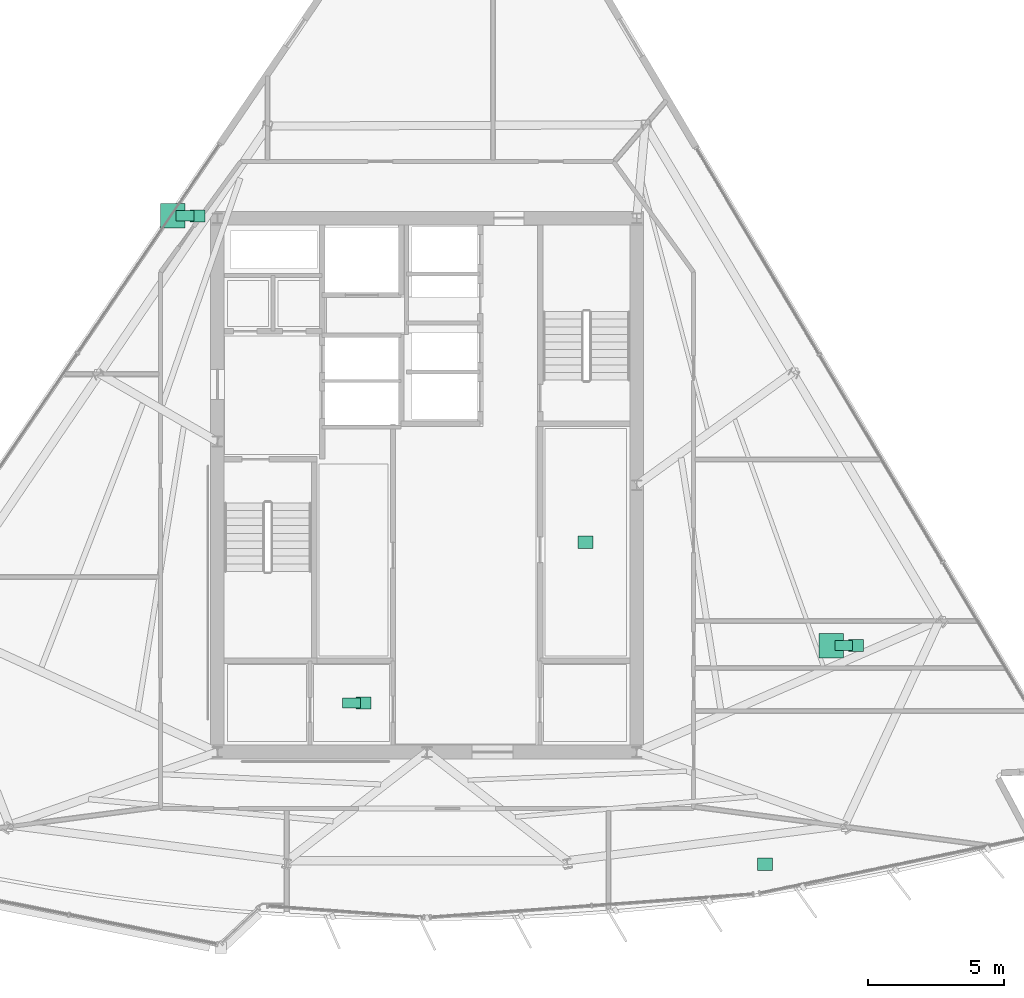
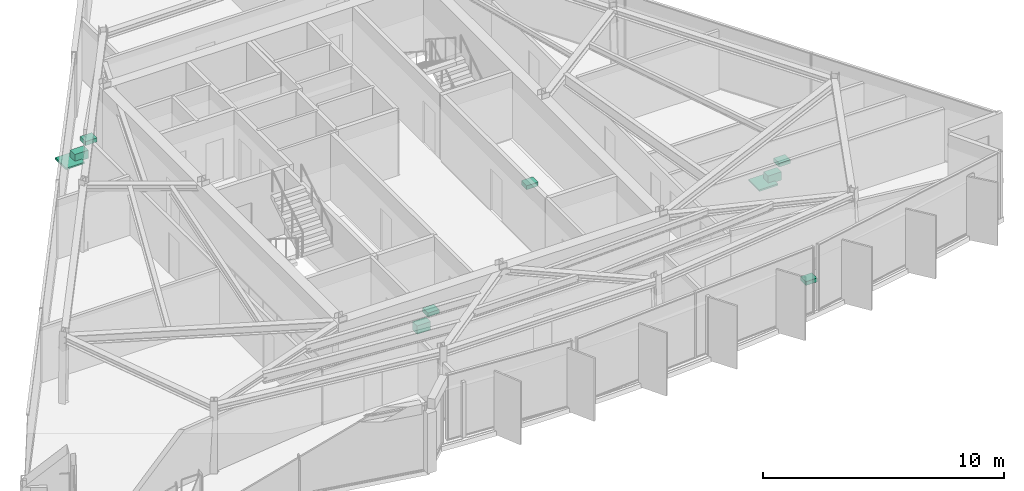
# One storey, part 13 of 13: 10 sanitary terminals.
"""IFC4 building model written with IfcOpenShell, lengths in metres."""

from ifc_helpers import new_model, si_unit, direction, frame, origin, origin_2d, place, context, subcontext, project, spatial, rectangle, extrude, material, type_object, element, save


model = new_model("IFC4")

# Units and contexts
model_context = context("Model", 3, precision=1e-05, world=origin(), true_north=direction((0.0, 1.0)))
body_context = subcontext(model_context, "Body", "Model", "MODEL_VIEW")
ifc_project = project(units=[si_unit("LENGTHUNIT", "METRE"), si_unit("AREAUNIT", "SQUARE_METRE"), si_unit("VOLUMEUNIT", "CUBIC_METRE"), si_unit("PLANEANGLEUNIT", "RADIAN"), si_unit("MASSUNIT", "GRAM", prefix="KILO")], contexts=[model_context])

# Site, building, storey
site_placement = place(None, origin())
site = spatial("IfcSite", under=ifc_project, at=site_placement, CompositionType="ELEMENT")
building_placement = place(site_placement, origin())
building = spatial("IfcBuilding", under=site, at=building_placement, Name="Savorim Split Tower", CompositionType="ELEMENT")
storey_placement = place(building_placement, frame((0.0, 0.0, 276.0)))
storey = spatial("IfcBuildingStorey", under=building, at=storey_placement, Name="L73", CompositionType="ELEMENT", Elevation=276.0)

# Sanitary terminals
ifc_material = material(Name="Vitreous China Sanitaryware")
sanitary_terminal_type_1 = type_object("IfcSanitaryTerminalType", Name="SAN-SHW-900", PredefinedType="SHOWER", material=ifc_material)
for number, where, z_axis, x_axis, name in (
    (1, (14.844970703125, -5.49169921875, 0.0), (0.0, 0.0, 1.0), (1.0, 0.0, 0.0), "L73 Shared Bathroom Shower"),
    (2, (-9.333984375, 10.2822265625, 0.0), (0.0, 0.0, 1.0), (1.0, 0.0, 0.0), "L73 Shared Bathroom Shower"),
):
    element("IfcSanitaryTerminal", number, at=place(storey_placement, frame(where, z_axis=z_axis, x_axis=x_axis)), inside=storey, type_object=sanitary_terminal_type_1, Name=name, PredefinedType="SHOWER", context=body_context, shape_type="SweptSolid", body=[
        extrude(rectangle(XDim=0.89990234375, YDim=0.89990234375, at=origin_2d()), origin(), (0.0, 0.0, 1.0), 0.080078125),
    ])
sanitary_terminal_type_2 = type_object("IfcSanitaryTerminalType", Name="SAN-WC-PAN", PredefinedType="TOILETPAN", material=ifc_material)
for number, where, z_axis, x_axis, name in (
    (3, (-2.77490234375, -7.60009765625, 0.0), (0.0, 0.0, 1.0), (1.0, 0.0, 0.0), "L73 Accessible WC WC Pan"),
    (4, (15.294921875, -5.49169921875, 0.0), (0.0, 0.0, 1.0), (1.0, 0.0, 0.0), "L73 Shared Bathroom WC Pan"),
    (5, (-8.8837890625, 10.2822265625, 0.0), (0.0, 0.0, 1.0), (1.0, 0.0, 0.0), "L73 Shared Bathroom WC Pan"),
):
    element("IfcSanitaryTerminal", number, at=place(storey_placement, frame(where, z_axis=z_axis, x_axis=x_axis)), inside=storey, type_object=sanitary_terminal_type_2, Name=name, PredefinedType="TOILETPAN", context=body_context, shape_type="SweptSolid", body=[
        extrude(rectangle(XDim=0.64990234375, YDim=0.3798828125, at=origin_2d()), origin(), (0.0, 0.0, 1.0), 0.419921875),
    ])
sanitary_terminal_type_3 = type_object("IfcSanitaryTerminalType", Name="SAN-WHB-550", PredefinedType="WASHHANDBASIN", material=ifc_material)
for number, where, z_axis, x_axis, name in (
    (6, (5.824951171875, -1.699951171875, 0.75), (0.0, 0.0, 1.0), (1.0, 0.0, 0.0), "L73 Community Laundry Room Utility Sink"),
    (7, (-2.324951171875, -7.60009765625, 0.72021484375), (0.0, 0.0, 1.0), (1.0, 0.0, 0.0), "L73 Accessible WC Washhand Basin"),
    (8, (12.405517578125, -13.517578125, 0.75), (0.0, 0.0, 1.0), (1.0, 0.0, 0.0), "L73 Shared Kitchen Utility Sink"),
    (9, (15.7451171875, -5.49169921875, 0.72021484375), (0.0, 0.0, 1.0), (1.0, 0.0, 0.0), "L73 Shared Bathroom Washhand Basin"),
    (10, (-8.433837890625, 10.2822265625, 0.72021484375), (0.0, 0.0, 1.0), (1.0, 0.0, 0.0), "L73 Shared Bathroom Washhand Basin"),
):
    element("IfcSanitaryTerminal", number, at=place(storey_placement, frame(where, z_axis=z_axis, x_axis=x_axis)), inside=storey, type_object=sanitary_terminal_type_3, Name=name, PredefinedType="WASHHANDBASIN", context=body_context, shape_type="SweptSolid", body=[
        extrude(rectangle(XDim=0.550048828125, YDim=0.449951171875, at=origin_2d()), origin(), (0.0, 0.0, 1.0), 0.199951171875),
    ])

save(model, "model.ifc")
